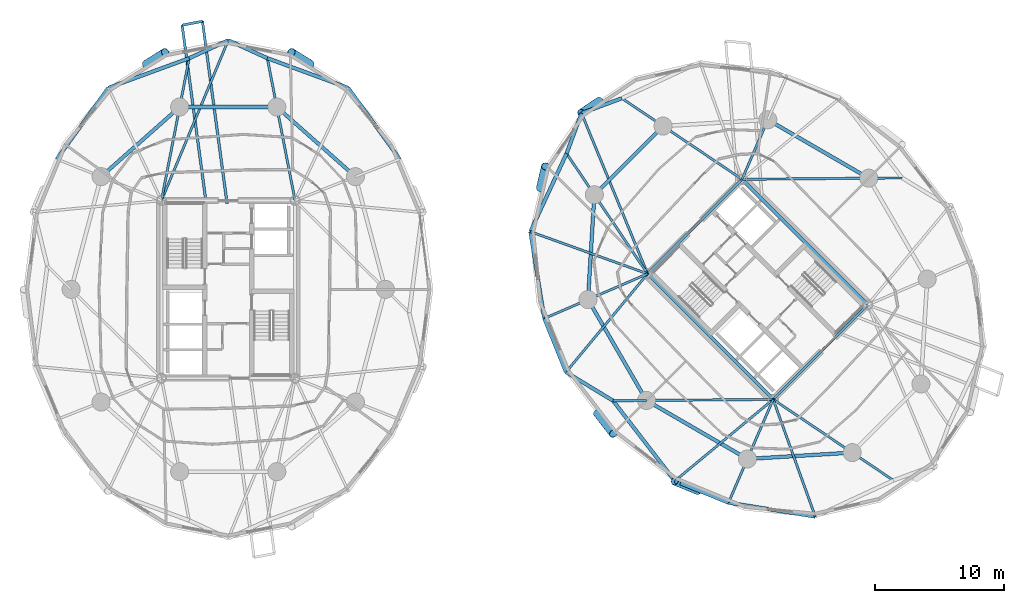
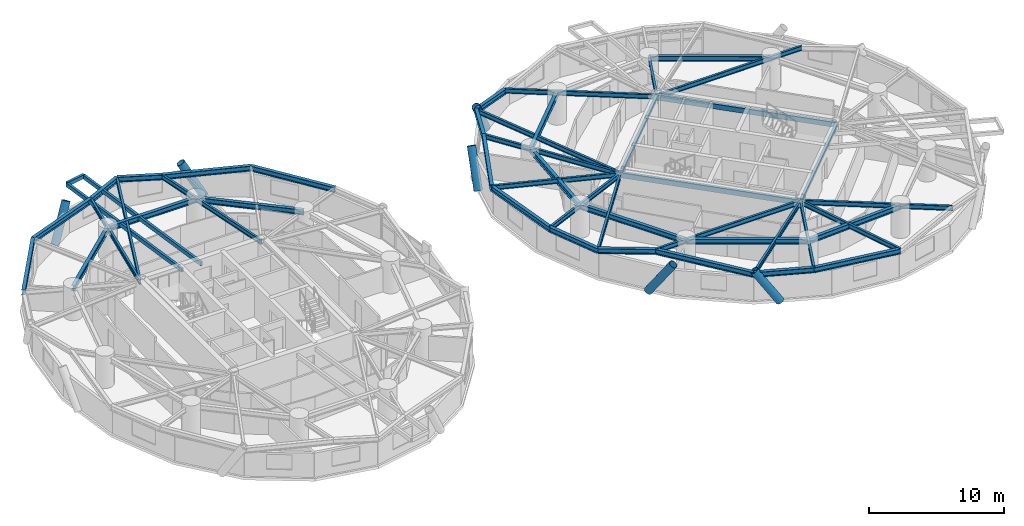
# One storey, part 5 of 17: 48 beams, 6 members.
"""IFC4 building model written with IfcOpenShell, lengths in metres."""

from ifc_helpers import new_model, si_unit, direction, frame, origin, origin_2d, place, context, subcontext, project, spatial, hollow_rectangle, hollow_circle, i_section, extrude, material, material_profile, profile_set, type_object, element, save


model = new_model("IFC4")

# Units and contexts
model_context = context("Model", 3, precision=1e-05, world=origin(), true_north=direction((0.0, 1.0)))
body_context = subcontext(model_context, "Body", "Model", "MODEL_VIEW")
ifc_project = project(units=[si_unit("LENGTHUNIT", "METRE"), si_unit("AREAUNIT", "SQUARE_METRE"), si_unit("VOLUMEUNIT", "CUBIC_METRE"), si_unit("PLANEANGLEUNIT", "RADIAN"), si_unit("MASSUNIT", "GRAM", prefix="KILO")], contexts=[model_context])

# Site, building, storey
site_placement = place(None, origin())
site = spatial("IfcSite", under=ifc_project, at=site_placement, CompositionType="ELEMENT")
building_placement = place(site_placement, origin())
building = spatial("IfcBuilding", under=site, at=building_placement, Name="Cununo Teusaquillo Station Towers", CompositionType="ELEMENT")
storey_placement = place(building_placement, frame((0.0, 0.0, 90.52001953125)))
storey = spatial("IfcBuildingStorey", under=building, at=storey_placement, Name="L28", CompositionType="ELEMENT", Elevation=90.52001953125)

# Beams
ifc_material_1 = material(Name="Steel EN 10025-2 S355J2", Category="steel")
ifc_material_profile_1 = material_profile(ifc_material_1, hollow_rectangle(XDim=0.199951171875, YDim=0.35009765625, WallThickness=0.013916015625, at=origin_2d()), Name="RHS 350x200x14")
ifc_profile_set_1 = profile_set([ifc_material_profile_1], Name="Steel EN 10025-2 S355J2")
beam_type_1 = type_object("IfcBeamType", Name="BM-BAL-CANT", PredefinedType="BEAM", material=ifc_profile_set_1)
beam_1_placement = place(storey_placement, frame((16.40869140625, 31.14990234375, 2.494873046875), z_axis=(-0.133936551357, 0.990989909237, 0.0), x_axis=(-0.990989909237, -0.133936551357, 0.0)))
element("IfcBeam", 1, at=beam_1_placement, inside=storey, type_object=beam_type_1, Name="L28 Tower A Balcony Cantilever Bracket 1A", PredefinedType="BEAM", context=body_context, shape_type="SweptSolid", body=[
    extrude(hollow_rectangle(XDim=0.199951171875, YDim=0.35009765625, WallThickness=0.013916015625, at=origin_2d()), origin(), (0.0, 0.0, 1.0), 14.24169921875),
])
beam_2_placement = place(storey_placement, frame((14.793701171875, 31.14990234375, 2.494873046875), z_axis=(-0.133960678738, 0.990986648019, 0.0), x_axis=(-0.990986648019, -0.133960678738, 0.0)))
element("IfcBeam", 2, at=beam_2_placement, inside=storey, type_object=beam_type_1, Name="L28 Tower A Balcony Cantilever Bracket 1B", PredefinedType="BEAM", context=body_context, shape_type="SweptSolid", body=[
    extrude(hollow_rectangle(XDim=0.199951171875, YDim=0.35009765625, WallThickness=0.013916015625, at=origin_2d()), origin(), (0.0, 0.0, 1.0), 13.9345703125),
])
ifc_material_2 = material(Name="Steel EN 10025-2 S355J2", Category="steel")
ifc_material_profile_2 = material_profile(ifc_material_2, hollow_rectangle(XDim=0.25, YDim=0.449951171875, WallThickness=0.01611328125, at=origin_2d()), Name="RHS 450x250x16")
ifc_profile_set_2 = profile_set([ifc_material_profile_2], Name="Steel EN 10025-2 S355J2")
beam_type_2 = type_object("IfcBeamType", Name="BM-COUP-1", PredefinedType="USERDEFINED", material=ifc_profile_set_2)
for number, where, z_axis, x_axis, name in (
    (3, (58.70556640625, 15.975830078125, 2.445068359375), (-0.707106781187, 0.707106781187, 0.0), (-0.707106781187, -0.707106781187, 0.0), "L28 Tower B Core Beam 1"),
    (4, (66.024169921875, 23.29443359375, 2.445068359375), (-0.707106781187, 0.707106781187, 0.0), (-0.707106781187, -0.707106781187, 0.0), "L28 Tower B Core Beam 2"),
):
    element("IfcBeam", number, at=place(storey_placement, frame(where, z_axis=z_axis, x_axis=x_axis)), inside=storey, type_object=beam_type_2, Name=name, ObjectType="COUPLING BEAM", PredefinedType="USERDEFINED", context=body_context, shape_type="SweptSolid", body=[
        extrude(hollow_rectangle(XDim=0.25, YDim=0.449951171875, WallThickness=0.01611328125, at=origin_2d()), origin(), (0.0, 0.0, 1.0), 13.760009765625),
    ])
ifc_material_3 = material(Name="Steel ASTM A572 Grade 50", Category="steel")
ifc_material_profile_3 = material_profile(ifc_material_3, i_section(OverallWidth=0.180908203125, OverallDepth=0.4169921875, WebThickness=0.010986328125, FlangeThickness=0.018310546875, FilletRadius=0.012939453125, at=origin_2d()), Name="W16X57")
ifc_profile_set_3 = profile_set([ifc_material_profile_3], Name="Steel ASTM A572 Grade 50")
beam_type_3 = type_object("IfcBeamType", Name="BM-JOIST-1", PredefinedType="JOIST", material=ifc_profile_set_3)
beam_3_placement = place(storey_placement, frame((11.324951171875, 31.3798828125, 2.46142578125), z_axis=(0.38487837995, 0.922967297713, 0.0), x_axis=(-0.922967297713, 0.38487837995, 0.0)))
element("IfcBeam", 5, at=beam_3_placement, inside=storey, type_object=beam_type_3, Name="L28 Tower A Radial Spandrel Joist V05", PredefinedType="JOIST", context=body_context, shape_type="SweptSolid", body=[
    extrude(i_section(OverallWidth=0.180908203125, OverallDepth=0.4169921875, WebThickness=0.010986328125, FlangeThickness=0.018310546875, FilletRadius=0.012939453125, at=origin_2d()), origin(), (0.0, 0.0, 1.0), 13.446044921875),
])
beam_4_placement = place(storey_placement, frame((48.975830078125, 25.70556640625, 2.46142578125), z_axis=(-0.380485864505, 0.924786735908, 0.0), x_axis=(-0.924786735908, -0.380485864505, 0.0)))
element("IfcBeam", 6, at=beam_4_placement, inside=storey, type_object=beam_type_3, Name="L28 Tower B Radial Spandrel Joist V05", PredefinedType="JOIST", context=body_context, shape_type="SweptSolid", body=[
    extrude(i_section(OverallWidth=0.180908203125, OverallDepth=0.4169921875, WebThickness=0.010986328125, FlangeThickness=0.018310546875, FilletRadius=0.012939453125, at=origin_2d()), origin(), (0.0, 0.0, 1.0), 13.44580078125),
])
beam_5_placement = place(storey_placement, frame((48.975830078125, 25.70556640625, 2.46142578125), z_axis=(-0.941082771055, 0.338176312038, 0.0), x_axis=(-0.338176312038, -0.941082771055, 0.0)))
element("IfcBeam", 7, at=beam_5_placement, inside=storey, type_object=beam_type_3, Name="L28 Tower B Radial Spandrel Joist V07", PredefinedType="JOIST", context=body_context, shape_type="SweptSolid", body=[
    extrude(i_section(OverallWidth=0.180908203125, OverallDepth=0.4169921875, WebThickness=0.010986328125, FlangeThickness=0.018310546875, FilletRadius=0.012939453125, at=origin_2d()), origin(), (0.0, 0.0, 1.0), 9.646484375),
])
for number, where, z_axis, x_axis, name in (
    (8, (48.975830078125, 25.70556640625, 2.46142578125), (-0.638372238196, -0.769727799615, 0.0), (0.769727799615, -0.638372238196, 0.0), "L28 Tower B Radial Spandrel Joist V09"),
    (9, (58.70556640625, 15.975830078125, 2.46142578125), (-0.769727799615, -0.638372238196, 0.0), (0.638372238196, -0.769727799615, 0.0), "L28 Tower B Radial Spandrel Joist V11"),
):
    element("IfcBeam", number, at=place(storey_placement, frame(where, z_axis=z_axis, x_axis=x_axis)), inside=storey, type_object=beam_type_3, Name=name, PredefinedType="JOIST", context=body_context, shape_type="SweptSolid", body=[
        extrude(i_section(OverallWidth=0.180908203125, OverallDepth=0.4169921875, WebThickness=0.010986328125, FlangeThickness=0.018310546875, FilletRadius=0.012939453125, at=origin_2d()), origin(), (0.0, 0.0, 1.0), 9.895263671875),
    ])
beam_6_placement = place(storey_placement, frame((58.70556640625, 15.975830078125, 2.46142578125), z_axis=(0.338176312038, -0.941082771055, 0.0), x_axis=(0.941082771055, 0.338176312038, 0.0)))
element("IfcBeam", 10, at=beam_6_placement, inside=storey, type_object=beam_type_3, Name="L28 Tower B Radial Spandrel Joist V13", PredefinedType="JOIST", context=body_context, shape_type="SweptSolid", body=[
    extrude(i_section(OverallWidth=0.180908203125, OverallDepth=0.4169921875, WebThickness=0.010986328125, FlangeThickness=0.018310546875, FilletRadius=0.012939453125, at=origin_2d()), origin(), (0.0, 0.0, 1.0), 9.646484375),
])
ifc_material_4 = material(Name="Steel ASTM A572 Grade 50", Category="steel")
ifc_material_profile_4 = material_profile(ifc_material_4, i_section(OverallWidth=0.2041015625, OverallDepth=0.35009765625, WebThickness=0.008544921875, FlangeThickness=0.01513671875, FilletRadius=0.011962890625, at=origin_2d()), Name="W14X48")
ifc_profile_set_4 = profile_set([ifc_material_profile_4], Name="Steel ASTM A572 Grade 50")
beam_type_4 = type_object("IfcBeamType", Name="BM-LINTEL-1", PredefinedType="LINTEL", material=ifc_profile_set_4)
for number, where, z_axis, x_axis, name in (
    (11, (58.70556640625, 15.975830078125, 2.494873046875), (0.707106781187, 0.707106781187, 0.0), (-0.707106781187, 0.707106781187, 0.0), "L28 Tower B Core Beam 3"),
    (12, (48.975830078125, 25.70556640625, 2.494873046875), (0.707106781187, 0.707106781187, 0.0), (-0.707106781187, 0.707106781187, 0.0), "L28 Tower B Core Beam 4"),
):
    element("IfcBeam", number, at=place(storey_placement, frame(where, z_axis=z_axis, x_axis=x_axis)), inside=storey, type_object=beam_type_4, Name=name, PredefinedType="LINTEL", context=body_context, shape_type="SweptSolid", body=[
        extrude(i_section(OverallWidth=0.2041015625, OverallDepth=0.35009765625, WebThickness=0.008544921875, FlangeThickness=0.01513671875, FilletRadius=0.011962890625, at=origin_2d()), origin(), (0.0, 0.0, 1.0), 10.35009765625),
    ])
ifc_material_5 = material(Name="Steel ASTM A572 Grade 50", Category="steel")
ifc_material_profile_5 = material_profile(ifc_material_5, i_section(OverallWidth=0.180908203125, OverallDepth=0.4169921875, WebThickness=0.010986328125, FlangeThickness=0.018310546875, FilletRadius=0.012939453125, at=origin_2d()), Name="W16X57")
ifc_profile_set_5 = profile_set([ifc_material_profile_5], Name="Steel ASTM A572 Grade 50")
beam_type_5 = type_object("IfcBeamType", Name="BM-RAD-G2", PredefinedType="BEAM", material=ifc_profile_set_5)
for number, where, z_axis, x_axis, name in (
    (13, (21.675048828125, 31.3798828125, 2.46142578125), (-0.191552755713, 0.981482318628, 0.0), (-0.981482318628, -0.191552755713, 0.0), "L28 Tower A Continuous Overhanging Radial Girder 03"),
    (14, (11.324951171875, 31.3798828125, 2.46142578125), (0.191552755713, 0.981482318628, 0.0), (-0.981482318628, 0.191552755713, 0.0), "L28 Tower A Continuous Overhanging Radial Girder 04"),
):
    element("IfcBeam", number, at=place(storey_placement, frame(where, z_axis=z_axis, x_axis=x_axis)), inside=storey, type_object=beam_type_5, Name=name, PredefinedType="BEAM", context=body_context, shape_type="SweptSolid", body=[
        extrude(i_section(OverallWidth=0.180908203125, OverallDepth=0.4169921875, WebThickness=0.010986328125, FlangeThickness=0.018310546875, FilletRadius=0.012939453125, at=origin_2d()), origin(), (0.0, 0.0, 1.0), 11.22998046875),
    ])
beam_7_placement = place(storey_placement, frame((56.29443359375, 33.024169921875, 2.46142578125), z_axis=(0.999964331255, 0.008446077024, 0.0), x_axis=(-0.008446077024, 0.999964331255, 0.0)))
element("IfcBeam", 15, at=beam_7_placement, inside=storey, type_object=beam_type_5, Name="L28 Tower B Continuous Overhanging Radial Girder 01", PredefinedType="BEAM", context=body_context, shape_type="SweptSolid", body=[
    extrude(i_section(OverallWidth=0.180908203125, OverallDepth=0.4169921875, WebThickness=0.010986328125, FlangeThickness=0.018310546875, FilletRadius=0.012939453125, at=origin_2d()), origin(), (0.0, 0.0, 1.0), 12.400634765625),
])
beam_8_placement = place(storey_placement, frame((56.29443359375, 33.024169921875, 2.46142578125), z_axis=(0.397346986387, 0.917668443616, 0.0), x_axis=(-0.917668443616, 0.397346986387, 0.0)))
element("IfcBeam", 16, at=beam_8_placement, inside=storey, type_object=beam_type_5, Name="L28 Tower B Radial Girder 02A", PredefinedType="BEAM", context=body_context, shape_type="SweptSolid", body=[
    extrude(i_section(OverallWidth=0.180908203125, OverallDepth=0.4169921875, WebThickness=0.010986328125, FlangeThickness=0.018310546875, FilletRadius=0.012939453125, at=origin_2d()), origin(), (0.0, 0.0, 1.0), 5.02490234375),
])
for number, where, z_axis, x_axis, name in (
    (17, (56.29443359375, 33.024169921875, 2.46142578125), (-0.82945583878, 0.558572297481, 0.0), (-0.558572297481, -0.82945583878, 0.0), "L28 Tower B Continuous Overhanging Radial Girder 03"),
    (18, (48.975830078125, 25.70556640625, 2.46142578125), (-0.558572297481, 0.82945583878, 0.0), (-0.82945583878, -0.558572297481, 0.0), "L28 Tower B Continuous Overhanging Radial Girder 04"),
):
    element("IfcBeam", number, at=place(storey_placement, frame(where, z_axis=z_axis, x_axis=x_axis)), inside=storey, type_object=beam_type_5, Name=name, PredefinedType="BEAM", context=body_context, shape_type="SweptSolid", body=[
        extrude(i_section(OverallWidth=0.180908203125, OverallDepth=0.4169921875, WebThickness=0.010986328125, FlangeThickness=0.018310546875, FilletRadius=0.012939453125, at=origin_2d()), origin(), (0.0, 0.0, 1.0), 11.22998046875),
    ])
beam_9_placement = place(storey_placement, frame((48.975830078125, 25.70556640625, 2.46142578125), z_axis=(-0.917654733344, -0.397378648609, 0.0), x_axis=(0.397378648609, -0.917654733344, 0.0)))
element("IfcBeam", 19, at=beam_9_placement, inside=storey, type_object=beam_type_5, Name="L28 Tower B Continuous Overhanging Radial Girder 05", PredefinedType="BEAM", context=body_context, shape_type="SweptSolid", body=[
    extrude(i_section(OverallWidth=0.180908203125, OverallDepth=0.4169921875, WebThickness=0.010986328125, FlangeThickness=0.018310546875, FilletRadius=0.012939453125, at=origin_2d()), origin(), (0.0, 0.0, 1.0), 8.71484375),
])
beam_10_placement = place(storey_placement, frame((58.70556640625, 15.975830078125, 2.46142578125), z_axis=(-0.999964431382, -0.008434214327, 0.0), x_axis=(0.008434214327, -0.999964431382, 0.0)))
element("IfcBeam", 20, at=beam_10_placement, inside=storey, type_object=beam_type_5, Name="L28 Tower B Radial Girder 06A", PredefinedType="BEAM", context=body_context, shape_type="SweptSolid", body=[
    extrude(i_section(OverallWidth=0.180908203125, OverallDepth=0.4169921875, WebThickness=0.010986328125, FlangeThickness=0.018310546875, FilletRadius=0.012939453125, at=origin_2d()), origin(), (0.0, 0.0, 1.0), 9.812744140625),
])
beam_11_placement = place(storey_placement, frame((48.89306640625, 15.89306640625, 2.46142578125), z_axis=(-0.999963950292, -0.008491060999, 0.0), x_axis=(0.008491060999, -0.999963950292, 0.0)))
element("IfcBeam", 21, at=beam_11_placement, inside=storey, type_object=beam_type_5, Name="L28 Tower B Perimeter Overhang Girder 06B", PredefinedType="BEAM", context=body_context, shape_type="SweptSolid", body=[
    extrude(i_section(OverallWidth=0.180908203125, OverallDepth=0.4169921875, WebThickness=0.010986328125, FlangeThickness=0.018310546875, FilletRadius=0.012939453125, at=origin_2d()), origin(), (0.0, 0.0, 1.0), 2.587646484375),
])
beam_12_placement = place(storey_placement, frame((58.70556640625, 15.975830078125, 2.46142578125), z_axis=(-0.397378648609, -0.917654733344, 0.0), x_axis=(0.917654733344, -0.397378648609, 0.0)))
element("IfcBeam", 22, at=beam_12_placement, inside=storey, type_object=beam_type_5, Name="L28 Tower B Continuous Overhanging Radial Girder 07", PredefinedType="BEAM", context=body_context, shape_type="SweptSolid", body=[
    extrude(i_section(OverallWidth=0.180908203125, OverallDepth=0.4169921875, WebThickness=0.010986328125, FlangeThickness=0.018310546875, FilletRadius=0.012939453125, at=origin_2d()), origin(), (0.0, 0.0, 1.0), 8.71484375),
])
beam_13_placement = place(storey_placement, frame((58.70556640625, 15.975830078125, 2.46142578125), z_axis=(0.82945583878, -0.558572297481, 0.0), x_axis=(0.558572297481, 0.82945583878, 0.0)))
element("IfcBeam", 23, at=beam_13_placement, inside=storey, type_object=beam_type_5, Name="L28 Tower B Continuous Overhanging Radial Girder 08", PredefinedType="BEAM", context=body_context, shape_type="SweptSolid", body=[
    extrude(i_section(OverallWidth=0.180908203125, OverallDepth=0.4169921875, WebThickness=0.010986328125, FlangeThickness=0.018310546875, FilletRadius=0.012939453125, at=origin_2d()), origin(), (0.0, 0.0, 1.0), 11.22998046875),
])
ifc_material_6 = material(Name="Steel ASTM A572 Grade 50", Category="steel")
ifc_material_profile_6 = material_profile(ifc_material_6, i_section(OverallWidth=0.280029296875, OverallDepth=0.462890625, WebThickness=0.0107421875, FlangeThickness=0.017333984375, FilletRadius=0.013916015625, at=origin_2d()), Name="W18X76")
ifc_profile_set_6 = profile_set([ifc_material_profile_6], Name="Steel ASTM A572 Grade 50")
beam_type_6 = type_object("IfcBeamType", Name="BM-RING-Z2", PredefinedType="SPANDREL", material=ifc_profile_set_6)
beam_14_placement = place(storey_placement, frame((26.347412109375, 33.228515625, 2.4384765625), z_axis=(-0.74832120039, 0.66333655187, 0.0), x_axis=(-0.66333655187, -0.74832120039, 0.0)))
element("IfcBeam", 24, at=beam_14_placement, inside=storey, type_object=beam_type_6, Name="L28 Tower A Structural Column Ring Girder 02", PredefinedType="SPANDREL", context=body_context, shape_type="SweptSolid", body=[
    extrude(i_section(OverallWidth=0.280029296875, OverallDepth=0.462890625, WebThickness=0.0107421875, FlangeThickness=0.017333984375, FilletRadius=0.013916015625, at=origin_2d()), origin(), (0.0, 0.0, 1.0), 8.1328125),
])
beam_15_placement = place(storey_placement, frame((20.261474609375, 38.623291015625, 2.4384765625), z_axis=(-1.0, 0.0, 0.0), x_axis=(0.0, -1.0, 0.0)))
element("IfcBeam", 25, at=beam_15_placement, inside=storey, type_object=beam_type_6, Name="L28 Tower A Structural Column Ring Girder 03", PredefinedType="SPANDREL", context=body_context, shape_type="SweptSolid", body=[
    extrude(i_section(OverallWidth=0.280029296875, OverallDepth=0.462890625, WebThickness=0.0107421875, FlangeThickness=0.017333984375, FilletRadius=0.013916015625, at=origin_2d()), origin(), (0.0, 0.0, 1.0), 7.52294921875),
])
beam_16_placement = place(storey_placement, frame((12.738525390625, 38.623291015625, 2.4384765625), z_axis=(-0.74832120039, -0.66333655187, 0.0), x_axis=(0.66333655187, -0.74832120039, 0.0)))
element("IfcBeam", 26, at=beam_16_placement, inside=storey, type_object=beam_type_6, Name="L28 Tower A Structural Column Ring Girder 04", PredefinedType="SPANDREL", context=body_context, shape_type="SweptSolid", body=[
    extrude(i_section(OverallWidth=0.280029296875, OverallDepth=0.462890625, WebThickness=0.0107421875, FlangeThickness=0.017333984375, FilletRadius=0.013916015625, at=origin_2d()), origin(), (0.0, 0.0, 1.0), 8.1328125),
])
beam_17_placement = place(storey_placement, frame((29.77880859375, 34.586181640625, 2.4384765625), z_axis=(-0.58594455724, 0.810351143543, 0.0), x_axis=(-0.810351143543, -0.58594455724, 0.0)))
element("IfcBeam", 27, at=beam_17_placement, inside=storey, type_object=beam_type_6, Name="L28 Tower A Spandrel Ring Beam 03", PredefinedType="SPANDREL", context=body_context, shape_type="SweptSolid", body=[
    extrude(i_section(OverallWidth=0.280029296875, OverallDepth=0.462890625, WebThickness=0.0107421875, FlangeThickness=0.017333984375, FilletRadius=0.013916015625, at=origin_2d()), origin(), (0.0, 0.0, 1.0), 6.8115234375),
])
beam_18_placement = place(storey_placement, frame((25.78759765625, 40.10595703125, 2.4384765625), z_axis=(-0.938914161016, 0.34415141761, 0.0), x_axis=(-0.34415141761, -0.938914161016, 0.0)))
element("IfcBeam", 28, at=beam_18_placement, inside=storey, type_object=beam_type_6, Name="L28 Tower A Spandrel Ring Beam 04", PredefinedType="SPANDREL", context=body_context, shape_type="SweptSolid", body=[
    extrude(i_section(OverallWidth=0.280029296875, OverallDepth=0.462890625, WebThickness=0.0107421875, FlangeThickness=0.017333984375, FilletRadius=0.013916015625, at=origin_2d()), origin(), (0.0, 0.0, 1.0), 6.671142578125),
])
for number, where, z_axis, x_axis, name in (
    (29, (19.52392578125, 42.40185546875, 2.4384765625), (-0.908812215281, 0.417205413862, 0.0), (-0.417205413862, -0.908812215281, 0.0), "L28 Tower A Spandrel Ring Beam 05"),
    (30, (16.5, 43.7900390625, 2.4384765625), (-0.908812215281, -0.417205413862, 0.0), (0.417205413862, -0.908812215281, 0.0), "L28 Tower A Spandrel Ring Beam 06"),
):
    element("IfcBeam", number, at=place(storey_placement, frame(where, z_axis=z_axis, x_axis=x_axis)), inside=storey, type_object=beam_type_6, Name=name, PredefinedType="SPANDREL", context=body_context, shape_type="SweptSolid", body=[
        extrude(i_section(OverallWidth=0.280029296875, OverallDepth=0.462890625, WebThickness=0.0107421875, FlangeThickness=0.017333984375, FilletRadius=0.013916015625, at=origin_2d()), origin(), (0.0, 0.0, 1.0), 3.327392578125),
    ])
beam_19_placement = place(storey_placement, frame((13.47607421875, 42.40185546875, 2.4384765625), z_axis=(-0.938914161016, -0.34415141761, 0.0), x_axis=(0.34415141761, -0.938914161016, 0.0)))
element("IfcBeam", 31, at=beam_19_placement, inside=storey, type_object=beam_type_6, Name="L28 Tower A Spandrel Ring Beam 07", PredefinedType="SPANDREL", context=body_context, shape_type="SweptSolid", body=[
    extrude(i_section(OverallWidth=0.280029296875, OverallDepth=0.462890625, WebThickness=0.0107421875, FlangeThickness=0.017333984375, FilletRadius=0.013916015625, at=origin_2d()), origin(), (0.0, 0.0, 1.0), 6.671142578125),
])
beam_20_placement = place(storey_placement, frame((7.21240234375, 40.10595703125, 2.4384765625), z_axis=(-0.58594455724, -0.810351143543, 0.0), x_axis=(0.810351143543, -0.58594455724, 0.0)))
element("IfcBeam", 32, at=beam_20_placement, inside=storey, type_object=beam_type_6, Name="L28 Tower A Spandrel Ring Beam 08", PredefinedType="SPANDREL", context=body_context, shape_type="SweptSolid", body=[
    extrude(i_section(OverallWidth=0.280029296875, OverallDepth=0.462890625, WebThickness=0.0107421875, FlangeThickness=0.017333984375, FilletRadius=0.013916015625, at=origin_2d()), origin(), (0.0, 0.0, 1.0), 6.8115234375),
])
beam_21_placement = place(storey_placement, frame((66.10693359375, 33.10693359375, 2.4384765625), z_axis=(-0.865267103202, 0.501311121078, 0.0), x_axis=(-0.501311121078, -0.865267103202, 0.0)))
element("IfcBeam", 33, at=beam_21_placement, inside=storey, type_object=beam_type_6, Name="L28 Tower B Structural Column Ring Girder 01", PredefinedType="SPANDREL", context=body_context, shape_type="SweptSolid", body=[
    extrude(i_section(OverallWidth=0.280029296875, OverallDepth=0.462890625, WebThickness=0.0107421875, FlangeThickness=0.017333984375, FilletRadius=0.013916015625, at=origin_2d()), origin(), (0.0, 0.0, 1.0), 9.032958984375),
])
beam_22_placement = place(storey_placement, frame((50.173095703125, 37.146240234375, 2.4384765625), z_axis=(-0.707106781187, -0.707106781187, 0.0), x_axis=(0.707106781187, -0.707106781187, 0.0)))
element("IfcBeam", 34, at=beam_22_placement, inside=storey, type_object=beam_type_6, Name="L28 Tower B Structural Column Ring Girder 03", PredefinedType="SPANDREL", context=body_context, shape_type="SweptSolid", body=[
    extrude(i_section(OverallWidth=0.280029296875, OverallDepth=0.462890625, WebThickness=0.0107421875, FlangeThickness=0.017333984375, FilletRadius=0.013916015625, at=origin_2d()), origin(), (0.0, 0.0, 1.0), 7.522705078125),
])
beam_23_placement = place(storey_placement, frame((44.853759765625, 31.826904296875, 2.4384765625), z_axis=(-0.06012979176, -0.998190567048, 0.0), x_axis=(0.998190567048, -0.06012979176, 0.0)))
element("IfcBeam", 35, at=beam_23_placement, inside=storey, type_object=beam_type_6, Name="L28 Tower B Structural Column Ring Girder 04", PredefinedType="SPANDREL", context=body_context, shape_type="SweptSolid", body=[
    extrude(i_section(OverallWidth=0.280029296875, OverallDepth=0.462890625, WebThickness=0.0107421875, FlangeThickness=0.017333984375, FilletRadius=0.013916015625, at=origin_2d()), origin(), (0.0, 0.0, 1.0), 8.132568359375),
])
for number, where, z_axis, x_axis, name in (
    (36, (44.36474609375, 23.708984375, 2.4384765625), (0.501311121078, -0.865267103202, 0.0), (0.865267103202, 0.501311121078, 0.0), "L28 Tower B Structural Column Ring Girder 05"),
    (37, (48.89306640625, 15.89306640625, 2.4384765625), (0.865267103202, -0.501311121078, 0.0), (0.501311121078, 0.865267103202, 0.0), "L28 Tower B Structural Column Ring Girder 06"),
):
    element("IfcBeam", number, at=place(storey_placement, frame(where, z_axis=z_axis, x_axis=x_axis)), inside=storey, type_object=beam_type_6, Name=name, PredefinedType="SPANDREL", context=body_context, shape_type="SweptSolid", body=[
        extrude(i_section(OverallWidth=0.280029296875, OverallDepth=0.462890625, WebThickness=0.0107421875, FlangeThickness=0.017333984375, FilletRadius=0.013916015625, at=origin_2d()), origin(), (0.0, 0.0, 1.0), 9.032958984375),
    ])
beam_24_placement = place(storey_placement, frame((56.708984375, 11.36474609375, 2.4384765625), z_axis=(0.998190567048, 0.06012979176, 0.0), x_axis=(-0.06012979176, 0.998190567048, 0.0)))
element("IfcBeam", 38, at=beam_24_placement, inside=storey, type_object=beam_type_6, Name="L28 Tower B Structural Column Ring Girder 07", PredefinedType="SPANDREL", context=body_context, shape_type="SweptSolid", body=[
    extrude(i_section(OverallWidth=0.280029296875, OverallDepth=0.462890625, WebThickness=0.0107421875, FlangeThickness=0.017333984375, FilletRadius=0.013916015625, at=origin_2d()), origin(), (0.0, 0.0, 1.0), 8.132568359375),
])
for number, where, z_axis, x_axis, name in (
    (39, (46.979736328125, 39.296875, 2.4384765625), (-0.937628334414, -0.347639333943, 0.0), (0.347639333943, -0.937628334414, 0.0), "L28 Tower B Spandrel Ring Beam 05"),
    (40, (43.85986328125, 38.14013671875, 2.4384765625), (-0.347639333943, -0.937628334414, 0.0), (0.937628334414, -0.347639333943, 0.0), "L28 Tower B Spandrel Ring Beam 06"),
):
    element("IfcBeam", number, at=place(storey_placement, frame(where, z_axis=z_axis, x_axis=x_axis)), inside=storey, type_object=beam_type_6, Name=name, PredefinedType="SPANDREL", context=body_context, shape_type="SweptSolid", body=[
        extrude(i_section(OverallWidth=0.280029296875, OverallDepth=0.462890625, WebThickness=0.0107421875, FlangeThickness=0.017333984375, FilletRadius=0.013916015625, at=origin_2d()), origin(), (0.0, 0.0, 1.0), 3.327392578125),
    ])
beam_25_placement = place(storey_placement, frame((42.703125, 35.020263671875, 2.4384765625), z_axis=(-0.420535961689, -0.907275870354, 0.0), x_axis=(0.907275870354, -0.420535961689, 0.0)))
element("IfcBeam", 41, at=beam_25_placement, inside=storey, type_object=beam_type_6, Name="L28 Tower B Spandrel Ring Beam 07", PredefinedType="SPANDREL", context=body_context, shape_type="SweptSolid", body=[
    extrude(i_section(OverallWidth=0.280029296875, OverallDepth=0.462890625, WebThickness=0.0107421875, FlangeThickness=0.017333984375, FilletRadius=0.013916015625, at=origin_2d()), origin(), (0.0, 0.0, 1.0), 6.671142578125),
])
beam_26_placement = place(storey_placement, frame((39.897705078125, 28.9677734375, 2.4384765625), z_axis=(0.158671232312, -0.987331474246, 0.0), x_axis=(0.987331474246, 0.158671232312, 0.0)))
element("IfcBeam", 42, at=beam_26_placement, inside=storey, type_object=beam_type_6, Name="L28 Tower B Spandrel Ring Beam 08", PredefinedType="SPANDREL", context=body_context, shape_type="SweptSolid", body=[
    extrude(i_section(OverallWidth=0.280029296875, OverallDepth=0.462890625, WebThickness=0.0107421875, FlangeThickness=0.017333984375, FilletRadius=0.013916015625, at=origin_2d()), origin(), (0.0, 0.0, 1.0), 6.8115234375),
])
beam_27_placement = place(storey_placement, frame((40.978515625, 22.242431640625, 2.4384765625), z_axis=(0.375042266631, -0.927007712072, 0.0), x_axis=(0.927007712072, 0.375042266631, 0.0)))
element("IfcBeam", 43, at=beam_27_placement, inside=storey, type_object=beam_type_6, Name="L28 Tower B Spandrel Ring Beam 09", PredefinedType="SPANDREL", context=body_context, shape_type="SweptSolid", body=[
    extrude(i_section(OverallWidth=0.280029296875, OverallDepth=0.462890625, WebThickness=0.0107421875, FlangeThickness=0.017333984375, FilletRadius=0.013916015625, at=origin_2d()), origin(), (0.0, 0.0, 1.0), 4.480712890625),
])
beam_28_placement = place(storey_placement, frame((42.658935546875, 18.0888671875, 2.4384765625), z_axis=(0.854388492444, -0.519634779416, 0.0), x_axis=(0.519634779416, 0.854388492444, 0.0)))
element("IfcBeam", 44, at=beam_28_placement, inside=storey, type_object=beam_type_6, Name="L28 Tower B Spandrel Ring Beam 10", PredefinedType="SPANDREL", context=body_context, shape_type="SweptSolid", body=[
    extrude(i_section(OverallWidth=0.280029296875, OverallDepth=0.462890625, WebThickness=0.0107421875, FlangeThickness=0.017333984375, FilletRadius=0.013916015625, at=origin_2d()), origin(), (0.0, 0.0, 1.0), 4.26806640625),
])
beam_29_placement = place(storey_placement, frame((46.305419921875, 15.87109375, 2.4384765625), z_axis=(0.610100441726, -0.792324082056, 0.0), x_axis=(0.792324082056, 0.610100441726, 0.0)))
element("IfcBeam", 45, at=beam_29_placement, inside=storey, type_object=beam_type_6, Name="L28 Tower B Spandrel Ring Beam 11", PredefinedType="SPANDREL", context=body_context, shape_type="SweptSolid", body=[
    extrude(i_section(OverallWidth=0.280029296875, OverallDepth=0.462890625, WebThickness=0.0107421875, FlangeThickness=0.017333984375, FilletRadius=0.013916015625, at=origin_2d()), origin(), (0.0, 0.0, 1.0), 7.84033203125),
])
beam_30_placement = place(storey_placement, frame((51.0888671875, 9.658935546875, 2.4384765625), z_axis=(0.927007712072, -0.375042266631, 0.0), x_axis=(0.375042266631, 0.927007712072, 0.0)))
element("IfcBeam", 46, at=beam_30_placement, inside=storey, type_object=beam_type_6, Name="L28 Tower B Spandrel Ring Beam 12", PredefinedType="SPANDREL", context=body_context, shape_type="SweptSolid", body=[
    extrude(i_section(OverallWidth=0.280029296875, OverallDepth=0.462890625, WebThickness=0.0107421875, FlangeThickness=0.017333984375, FilletRadius=0.013916015625, at=origin_2d()), origin(), (0.0, 0.0, 1.0), 4.480712890625),
])
beam_31_placement = place(storey_placement, frame((55.242431640625, 7.978515625, 2.4384765625), z_axis=(0.987331474246, -0.158671232312, 0.0), x_axis=(0.158671232312, 0.987331474246, 0.0)))
element("IfcBeam", 47, at=beam_31_placement, inside=storey, type_object=beam_type_6, Name="L28 Tower B Spandrel Ring Beam 13", PredefinedType="SPANDREL", context=body_context, shape_type="SweptSolid", body=[
    extrude(i_section(OverallWidth=0.280029296875, OverallDepth=0.462890625, WebThickness=0.0107421875, FlangeThickness=0.017333984375, FilletRadius=0.013916015625, at=origin_2d()), origin(), (0.0, 0.0, 1.0), 6.8115234375),
])
ifc_material_7 = material(Name="Steel EN 10025-2 S355J2", Category="steel")
ifc_material_profile_7 = material_profile(ifc_material_7, hollow_rectangle(XDim=0.199951171875, YDim=0.35009765625, WallThickness=0.013916015625, at=origin_2d()), Name="RHS 350x200x14")
ifc_profile_set_7 = profile_set([ifc_material_profile_7], Name="Steel EN 10025-2 S355J2")
beam_type_7 = type_object("IfcBeamType", Name="BM-STAIR-TRIM", PredefinedType="BEAM", material=ifc_profile_set_7)
beam_32_placement = place(storey_placement, frame((14.501220703125, 45.26318359375, 2.52490234375), z_axis=(-0.981836621572, -0.189728354603, 0.0), x_axis=(0.189728354603, -0.981836621572, 0.0)))
element("IfcBeam", 48, at=beam_32_placement, inside=storey, type_object=beam_type_7, Name="L28 Tower A Balcony Edge Trimmer Beam 1", PredefinedType="BEAM", context=body_context, shape_type="SweptSolid", body=[
    extrude(hollow_rectangle(XDim=0.199951171875, YDim=0.35009765625, WallThickness=0.013916015625, at=origin_2d()), origin(), (0.0, 0.0, 1.0), 1.603271484375),
])

# Members
ifc_material_8 = material(Name="Steel EN 10025-2 S355J2", Category="steel")
ifc_material_profile_8 = material_profile(ifc_material_8, hollow_circle(Radius=0.330078125, WallThickness=0.02490234375, at=origin_2d()), Name="CHS 660x25")
ifc_profile_set_8 = profile_set([ifc_material_profile_8], Name="Steel EN 10025-2 S355J2")
member_type = type_object("IfcMemberType", Name="MBR-DIAG-Z2", PredefinedType="BRACE", material=ifc_profile_set_8)
for number, where, z_axis, x_axis, name in (
    (49, (22.85107421875, 41.9326171875, -0.14013671875), (-0.433741137774, 0.269808047292, 0.859693109789), (-0.528195574716, -0.849122744278, 0.0), "L28 Tower A Folded-Zigzag Diagrid Tube C03"),
    (50, (10.14892578125, 41.9326171875, -0.14013671875), (0.433741137774, 0.269808047292, 0.859693109789), (-0.528195574716, 0.849122744278, 0.0), "L28 Tower A Folded-Zigzag Diagrid Tube C06"),
):
    element("IfcMember", number, at=place(storey_placement, frame(where, z_axis=z_axis, x_axis=x_axis)), inside=storey, type_object=member_type, Name=name, PredefinedType="BRACE", context=body_context, shape_type="SweptSolid", body=[
        extrude(hollow_circle(Radius=0.330078125, WallThickness=0.02490234375, at=origin_2d()), origin(), (0.0, 0.0, 1.0), 3.385009765625),
    ])
member_1_placement = place(storey_placement, frame((45.2333984375, 39.068603515625, -0.14013671875), z_axis=(-0.410098958558, -0.277214066725, 0.868890790261), x_axis=(0.560024081213, -0.828476329452, 0.0)))
element("IfcMember", 51, at=member_1_placement, inside=storey, type_object=member_type, Name="L28 Tower B Folded-Zigzag Diagrid Tube C04", PredefinedType="BRACE", context=body_context, shape_type="SweptSolid", body=[
    extrude(hollow_circle(Radius=0.330078125, WallThickness=0.02490234375, at=origin_2d()), origin(), (0.0, 0.0, 1.0), 3.349365234375),
])
member_2_placement = place(storey_placement, frame((40.682373046875, 32.335693359375, -0.14013671875), z_axis=(0.115899426578, 0.497494862811, 0.859689586069), x_axis=(-0.973920299704, 0.226890391653, 0.0)))
element("IfcMember", 52, at=member_2_placement, inside=storey, type_object=member_type, Name="L28 Tower B Folded-Zigzag Diagrid Tube C06", PredefinedType="BRACE", context=body_context, shape_type="SweptSolid", body=[
    extrude(hollow_circle(Radius=0.330078125, WallThickness=0.02490234375, at=origin_2d()), origin(), (0.0, 0.0, 1.0), 3.385009765625),
])
member_3_placement = place(storey_placement, frame((45.104248046875, 14.914306640625, -0.14013671875), z_axis=(0.346044496653, -0.449277419576, 0.823652236442), x_axis=(0.792243348803, 0.610205273886, 0.0)))
element("IfcMember", 53, at=member_3_placement, inside=storey, type_object=member_type, Name="L28 Tower B Folded-Zigzag Diagrid Tube C09", PredefinedType="BRACE", context=body_context, shape_type="SweptSolid", body=[
    extrude(hollow_circle(Radius=0.330078125, WallThickness=0.02490234375, at=origin_2d()), origin(), (0.0, 0.0, 1.0), 3.533203125),
])
member_4_placement = place(storey_placement, frame((52.885498046875, 8.92041015625, -0.14013671875), z_axis=(-0.513484265686, 0.211073502337, 0.831734263755), x_axis=(-0.380193455452, -0.924906987989, 0.0)))
element("IfcMember", 54, at=member_4_placement, inside=storey, type_object=member_type, Name="L28 Tower B Folded-Zigzag Diagrid Tube C11", PredefinedType="BRACE", context=body_context, shape_type="SweptSolid", body=[
    extrude(hollow_circle(Radius=0.330078125, WallThickness=0.02490234375, at=origin_2d()), origin(), (0.0, 0.0, 1.0), 3.4990234375),
])

save(model, "model.ifc")
